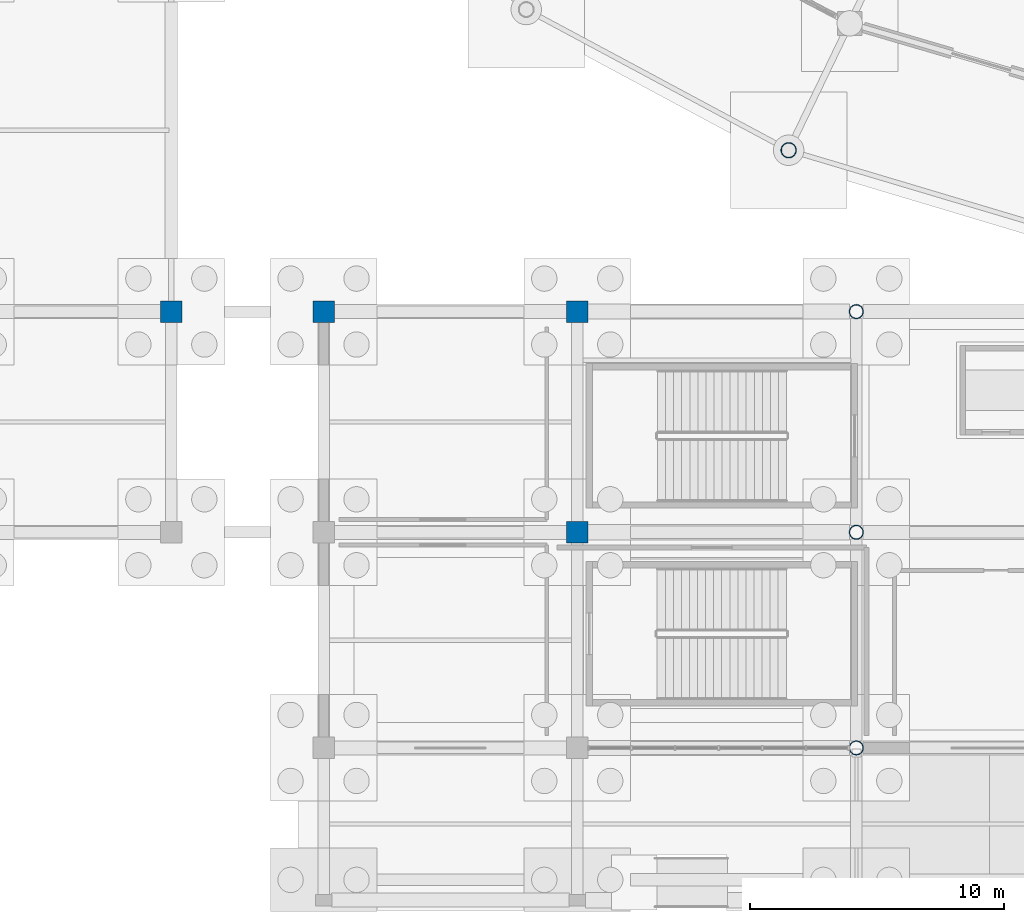
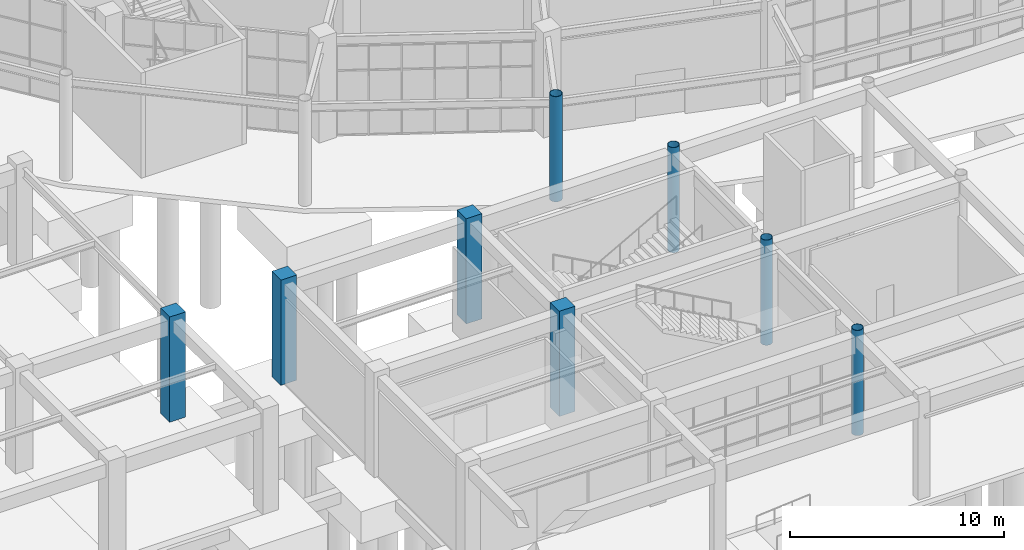
# One storey, part 10 of 121: 8 columns.
"""IFC4 building model written with IfcOpenShell, lengths in metres."""

from ifc_helpers import new_model, si_unit, direction, frame, origin, origin_2d, place, context, subcontext, project, spatial, rectangle, hollow_circle, extrude, material, material_profile, profile_set, type_object, element, save


model = new_model("IFC4")

# Units and contexts
model_context = context("Model", 3, precision=1e-05, world=origin(), true_north=direction((0.0, 1.0)))
body_context = subcontext(model_context, "Body", "Model", "MODEL_VIEW")
ifc_project = project(units=[si_unit("LENGTHUNIT", "METRE"), si_unit("AREAUNIT", "SQUARE_METRE"), si_unit("VOLUMEUNIT", "CUBIC_METRE"), si_unit("PLANEANGLEUNIT", "RADIAN"), si_unit("MASSUNIT", "GRAM", prefix="KILO")], contexts=[model_context])

# Site, building, storey
site_placement = place(None, origin())
site = spatial("IfcSite", under=ifc_project, at=site_placement, CompositionType="ELEMENT")
building_placement = place(site_placement, origin())
building = spatial("IfcBuilding", under=site, at=building_placement, Name="Cuetzalor Civic Arena", CompositionType="ELEMENT")
storey_placement = place(building_placement, origin())
storey = spatial("IfcBuildingStorey", under=building, at=storey_placement, Name="L00", CompositionType="ELEMENT", Elevation=0.0)

# Columns
ifc_material_1 = material(Name="Concrete C40/50", Category="concrete")
ifc_material_profile_1 = material_profile(ifc_material_1, rectangle(XDim=0.85009765625, YDim=0.85009765625, at=origin_2d()), Name="RC 850x850")
ifc_profile_set_1 = profile_set([ifc_material_profile_1], Name="Concrete C40/50")
column_type_1 = type_object("IfcColumnType", Name="ConcreteColumn_850", PredefinedType="COLUMN", material=ifc_profile_set_1)
for number, where, z_axis, x_axis, name in (
    (1, (-42.0, -48.300048828125, 0.0), (0.0, 0.0, 1.0), (1.0, 0.0, 0.0), "Column V3-C-01-04 L00"),
    (2, (-32.0, -57.0, 0.0), (0.0, 0.0, 1.0), (1.0, 0.0, 0.0), "Column V3-C-02-03 L00"),
    (3, (-32.0, -48.300048828125, 0.0), (0.0, 0.0, 1.0), (1.0, 0.0, 0.0), "Column V3-C-02-04 L00"),
    (4, (-48.0, -48.300048828125, 0.0), (0.0, 0.0, 1.0), (1.0, 0.0, 0.0), "Column V4W-RET-02 L00"),
):
    element("IfcColumn", number, at=place(storey_placement, frame(where, z_axis=z_axis, x_axis=x_axis)), inside=storey, type_object=column_type_1, Name=name, PredefinedType="COLUMN", context=body_context, shape_type="SweptSolid", body=[
        extrude(rectangle(XDim=0.85009765625, YDim=0.85009765625, at=origin_2d()), origin(), (0.0, 0.0, 1.0), 6.0),
    ])
ifc_material_2 = material(Name="Steel S355", Category="steel")
ifc_material_profile_2 = material_profile(ifc_material_2, hollow_circle(Radius=0.304931640625, WallThickness=0.02490234375, at=origin_2d()), Name="CHS 610x25")
ifc_profile_set_2 = profile_set([ifc_material_profile_2], Name="Steel S355")
column_type_2 = type_object("IfcColumnType", Name="SteelDomePylon_CHS610", PredefinedType="COLUMN", material=ifc_profile_set_2)
column_placement = place(storey_placement, frame((-23.66845703125, -41.940185546875, 0.0), z_axis=(0.0, 0.0, 1.0), x_axis=(1.0, 0.0, 0.0)))
element("IfcColumn", 5, at=column_placement, inside=storey, type_object=column_type_2, Name="Column V1-PYL-20 L00", PredefinedType="COLUMN", context=body_context, shape_type="SweptSolid", body=[
    extrude(hollow_circle(Radius=0.304931640625, WallThickness=0.02490234375, at=origin_2d()), origin(), (0.0, 0.0, 1.0), 6.0),
])
ifc_material_3 = material(Name="Steel S355", Category="steel")
ifc_material_profile_3 = material_profile(ifc_material_3, hollow_circle(Radius=0.279541015625, WallThickness=0.02001953125, at=origin_2d()), Name="CHS 559x20")
ifc_profile_set_3 = profile_set([ifc_material_profile_3], Name="Steel S355")
column_type_3 = type_object("IfcColumnType", Name="SteelFoyerColumn_CHS559", PredefinedType="COLUMN", material=ifc_profile_set_3)
for number, where, z_axis, x_axis, name in (
    (6, (-21.0, -65.5, 0.0), (0.0, 0.0, 1.0), (1.0, 0.0, 0.0), "Column V3-C-03-02 L00"),
    (7, (-21.0, -57.0, 0.0), (0.0, 0.0, 1.0), (1.0, 0.0, 0.0), "Column V3-C-03-03 L00"),
    (8, (-21.0, -48.300048828125, 0.0), (0.0, 0.0, 1.0), (1.0, 0.0, 0.0), "Column V3-C-03-04 L00"),
):
    element("IfcColumn", number, at=place(storey_placement, frame(where, z_axis=z_axis, x_axis=x_axis)), inside=storey, type_object=column_type_3, Name=name, PredefinedType="COLUMN", context=body_context, shape_type="SweptSolid", body=[
        extrude(hollow_circle(Radius=0.279541015625, WallThickness=0.02001953125, at=origin_2d()), origin(), (0.0, 0.0, 1.0), 6.0),
    ])

save(model, "model.ifc")
